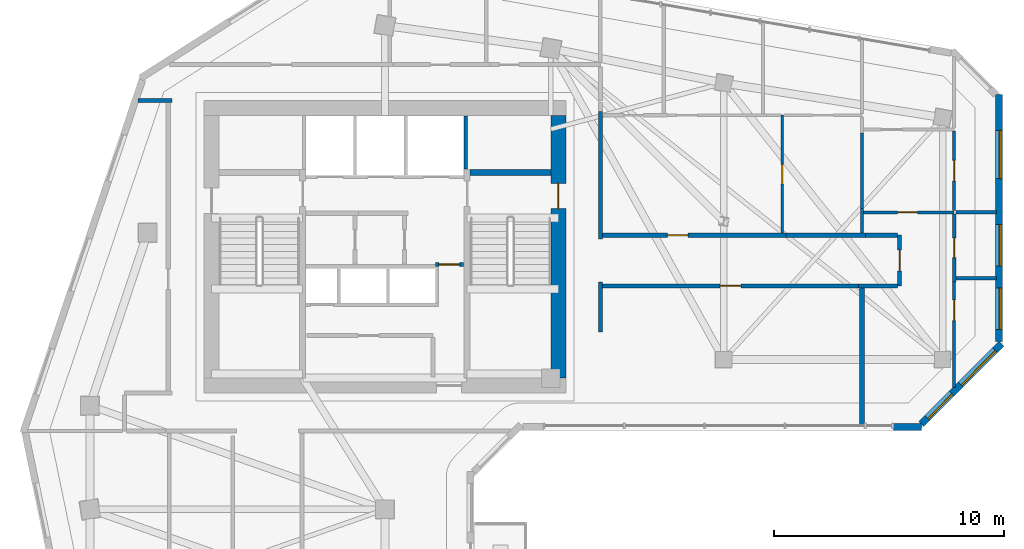
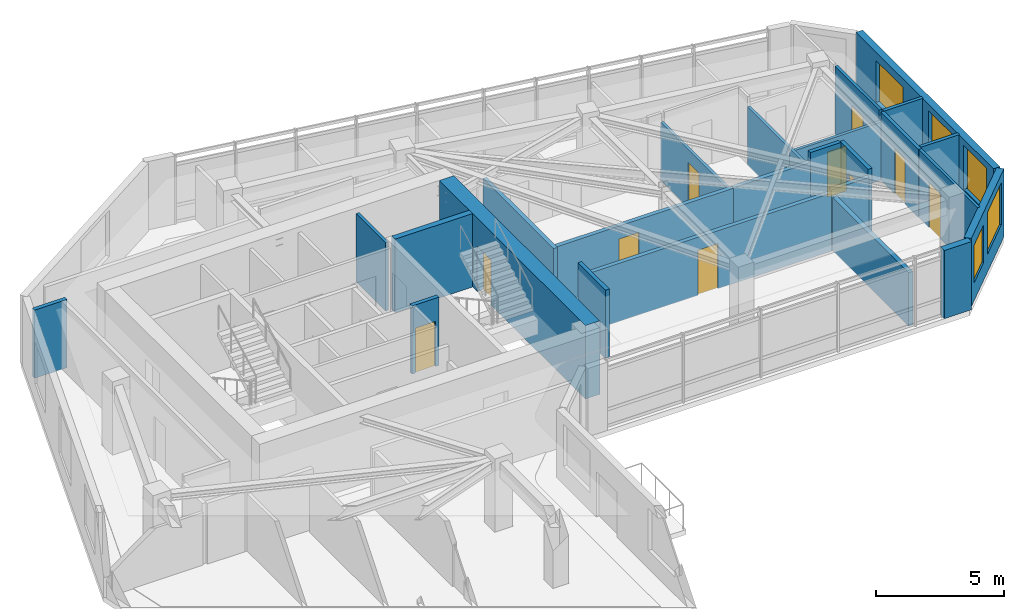
# One storey, part 6 of 10: 26 walls, 10 doors, 5 windows, 15 openings.
"""IFC4 building model written with IfcOpenShell, lengths in metres."""

from ifc_helpers import new_model, si_unit, direction, frame, frame_2d, origin, place, context, subcontext, project, spatial, rectangle, extrude, source, transform, mapped, material, layer, layer_set, type_object, element, fill, save


model = new_model("IFC4")

# Units and contexts
model_context = context("Model", 3, precision=1e-05, world=origin(), true_north=direction((0.0, 1.0)))
body_context = subcontext(model_context, "Body", "Model", "MODEL_VIEW")
ifc_project = project(units=[si_unit("LENGTHUNIT", "METRE"), si_unit("AREAUNIT", "SQUARE_METRE"), si_unit("VOLUMEUNIT", "CUBIC_METRE"), si_unit("PLANEANGLEUNIT", "RADIAN"), si_unit("MASSUNIT", "GRAM", prefix="KILO")], contexts=[model_context])

# Site, building, storey
site_placement = place(None, origin())
site = spatial("IfcSite", under=ifc_project, at=site_placement, CompositionType="ELEMENT")
building_placement = place(site_placement, origin())
building = spatial("IfcBuilding", under=site, at=building_placement, Name="Calvemar Wedge Station Tower", CompositionType="ELEMENT")
storey_placement = place(building_placement, frame((0.0, 0.0, 197.39990234375)))
storey = spatial("IfcBuildingStorey", under=building, at=storey_placement, Name="L49", CompositionType="ELEMENT", Elevation=197.39990234375)

# Wall
ifc_material_1 = material(Name="Concrete C50", Category="concrete")
ifc_layer_1 = layer(ifc_material_1, 0.260009765625)
ifc_layer_set_1 = layer_set([ifc_layer_1], Name="Concrete C50")
wall_type_1 = type_object("IfcWallType", Name="SW-CORE-260", PredefinedType="SHEAR", material=ifc_layer_set_1)
wall_1_placement = place(storey_placement, frame((27.5, 43.1298828125, 0.0), z_axis=(0.0, 0.0, 1.0), x_axis=(1.0, 0.0, 0.0)))
element("IfcWall", 1, at=wall_1_placement, inside=storey, type_object=wall_type_1, Name="Storey L49 Core Shear Wall STC2-N", PredefinedType="SHEAR", context=body_context, shape_type="SweptSolid", body=[
    extrude(rectangle(XDim=3.5, YDim=0.260009765625, at=frame_2d((1.75, 0.0))), origin(), (0.0, 0.0, 1.0), 3.5),
])

# Wall, opening, door
ifc_material_2 = material(Name="Concrete C60", Category="concrete")
ifc_layer_2 = layer(ifc_material_2, 0.64990234375)
ifc_layer_set_2 = layer_set([ifc_layer_2], Name="Concrete C60")
wall_type_2 = type_object("IfcWallType", Name="SW-CORE-650", PredefinedType="SHEAR", material=ifc_layer_set_2)
wall_2_placement = place(storey_placement, frame((31.324951171875, 34.199951171875, 0.0), z_axis=(0.0, 0.0, 1.0), x_axis=(0.0, 1.0, 0.0)))
wall_2 = element("IfcWall", 2, at=wall_2_placement, inside=storey, type_object=wall_type_2, Name="Storey L49 Core Shear Wall E", PredefinedType="SHEAR", context=body_context, shape_type="SweptSolid", body=[
    extrude(rectangle(XDim=11.400146484375, YDim=0.64990234375, at=frame_2d((5.7001953125, 0.0))), origin(), (0.0, 0.0, 1.0), 3.5),
])
shared_shape_1 = source(origin(), body_context, "Body", "SweptSolid", [
    extrude(rectangle(XDim=1.10009765625, YDim=2.14990234375, at=frame_2d((0.550048828125, 1.074951171875))), frame((0.0, 0.3349609375, 0.0), z_axis=(0.0, -1.0, 0.0), x_axis=(1.0, 0.0, 0.0)), (0.0, 0.0, 1.0), 0.669921875),
])
opening_1_placement = place(wall_2_placement, frame((7.35009765625, 0.0, 0.0)))
opening_1 = element("IfcOpeningElement", 3, at=opening_1_placement, cuts=wall_2, Name="Opening FD-90", PredefinedType="OPENING", context=body_context, shape_type="MappedRepresentation", body=[
    mapped(shared_shape_1, transform((0.0, 0.0, 0.0), scale=1.0)),
])
ifc_material_3 = material(Name="Galvanized fire-rated steel door leaf P-90", Category="steel")
door_type_1 = type_object("IfcDoorType", Name="DR-FD90-1100", OperationType="NOTDEFINED", PredefinedType="DOOR", material=ifc_material_3)
shared_shape_2 = source(origin(), body_context, "Body", "SweptSolid", [
    extrude(rectangle(XDim=1.10009765625, YDim=2.14990234375, at=frame_2d((0.550048828125, 1.074951171875))), frame((0.0, 0.02490234375, 0.0), z_axis=(0.0, -1.0, 0.0), x_axis=(1.0, 0.0, 0.0)), (0.0, 0.0, 1.0), 0.050048828125),
])
door_1_placement = place(opening_1_placement, origin())
door_1 = element("IfcDoor", 4, at=door_1_placement, inside=storey, type_object=door_type_1, Name="L49 East Corridor to Exit Stair ST-C2 Door", OperationType="SINGLE_SWING_RIGHT", OverallHeight=2.14990234375, OverallWidth=1.10009765625, PredefinedType="DOOR", context=body_context, shape_type="MappedRepresentation", body=[
    mapped(shared_shape_2, transform((0.0, 0.0, 0.0), scale=1.0)),
])
fill(opening_1, door_1)

ifc_material_4 = material(Name="Double-stud fire-rated corridor partition")
ifc_layer_3 = layer(ifc_material_4, 0.179931640625)
ifc_layer_set_3 = layer_set([ifc_layer_3], Name="Double-stud fire-rated corridor partition")
wall_type_3 = type_object("IfcWallType", Name="W-CORR-180", PredefinedType="PARTITIONING", material=ifc_layer_set_3)
wall_3_placement = place(storey_placement, frame((27.199951171875, 39.1298828125, 0.0), z_axis=(0.0, 0.0, 1.0), x_axis=(-1.0, 0.0, 0.0)))
wall_3 = element("IfcWall", 5, at=wall_3_placement, inside=storey, type_object=wall_type_3, Name="Storey L49 Interior Partition WL-L49-005", PredefinedType="PARTITIONING", context=body_context, shape_type="SweptSolid", body=[
    extrude(rectangle(XDim=1.2099609375, YDim=0.179931640625, at=frame_2d((0.60498046875, 0.0))), origin(), (0.0, 0.0, 1.0), 3.25),
])
shared_shape_3 = source(origin(), body_context, "Body", "SweptSolid", [
    extrude(rectangle(XDim=0.89990234375, YDim=2.14990234375, at=frame_2d((0.449951171875, 1.074951171875))), frame((0.0, 0.10009765625, 0.0), z_axis=(0.0, -1.0, 0.0), x_axis=(1.0, 0.0, 0.0)), (0.0, 0.0, 1.0), 0.199951171875),
])
opening_2_placement = place(wall_3_placement, frame((0.155029296875, 0.0, 0.0)))
opening_2 = element("IfcOpeningElement", 6, at=opening_2_placement, cuts=wall_3, Name="Opening FD-60", PredefinedType="OPENING", context=body_context, shape_type="MappedRepresentation", body=[
    mapped(shared_shape_3, transform((0.0, 0.0, 0.0), scale=1.0)),
])
ifc_material_5 = material(Name="Fire-rated acoustic timber-core entrance door EI 60", Category="wood")
door_type_2 = type_object("IfcDoorType", Name="DR-FD60-900", OperationType="NOTDEFINED", PredefinedType="DOOR", material=ifc_material_5)
shared_shape_4 = source(origin(), body_context, "Body", "SweptSolid", [
    extrude(rectangle(XDim=0.89990234375, YDim=2.14990234375, at=frame_2d((0.449951171875, 1.074951171875))), frame((0.0, 0.02490234375, 0.0), z_axis=(0.0, -1.0, 0.0), x_axis=(1.0, 0.0, 0.0)), (0.0, 0.0, 1.0), 0.050048828125),
])
door_2_placement = place(opening_2_placement, origin())
door_2 = element("IfcDoor", 7, at=door_2_placement, inside=storey, type_object=door_type_2, Name="L49 Core Service Lobby Door", OperationType="SINGLE_SWING_RIGHT", OverallHeight=2.14990234375, OverallWidth=0.89990234375, PredefinedType="DOOR", context=body_context, shape_type="MappedRepresentation", body=[
    mapped(shared_shape_4, transform((0.0, 0.0, 0.0), scale=1.0)),
])
fill(opening_2, door_2)

# Walls
wall_4_placement = place(storey_placement, frame((14.56005859375, 46.25, 0.0), z_axis=(0.0, 0.0, 1.0), x_axis=(-1.0, 0.0, 0.0)))
element("IfcWall", 8, at=wall_4_placement, inside=storey, type_object=wall_type_3, Name="Storey L49 Interior Partition WL-L49-014", PredefinedType="PARTITIONING", context=body_context, shape_type="SweptSolid", body=[
    extrude(rectangle(XDim=1.46875, YDim=0.179931640625, at=frame_2d((0.734375, 0.0))), origin(), (0.0, 0.0, 1.0), 3.25),
])
wall_5_placement = place(storey_placement, frame((33.14990234375, 45.76611328125, 0.0), z_axis=(0.0, 0.0, 1.0), x_axis=(0.0, -1.0, 0.0)))
element("IfcWall", 9, at=wall_5_placement, inside=storey, type_object=wall_type_3, Name="Storey L49 Interior Partition WL-L49-019", PredefinedType="PARTITIONING", context=body_context, shape_type="SweptSolid", body=[
    extrude(rectangle(XDim=5.526123046875, YDim=0.179931640625, at=frame_2d((2.76318359375, 0.0))), origin(), (0.0, 0.0, 1.0), 2.779052734375),
])
wall_6_placement = place(storey_placement, frame((33.14990234375, 38.360107421875, 0.0), z_axis=(0.0, 0.0, 1.0), x_axis=(0.0, -1.0, 0.0)))
element("IfcWall", 10, at=wall_6_placement, inside=storey, type_object=wall_type_3, Name="Storey L49 Interior Partition WL-L49-021", PredefinedType="PARTITIONING", context=body_context, shape_type="SweptSolid", body=[
    extrude(rectangle(XDim=2.16015625, YDim=0.179931640625, at=frame_2d((1.080078125, 0.0))), origin(), (0.0, 0.0, 1.0), 3.25),
])

# Wall, opening, door
wall_7_placement = place(storey_placement, frame((33.243896484375, 40.39990234375, 0.0), z_axis=(0.0, 0.0, 1.0), x_axis=(1.0, 0.0, 0.0)))
wall_7 = element("IfcWall", 11, at=wall_7_placement, inside=storey, type_object=wall_type_3, Name="Storey L49 Interior Partition WL-L49-026", PredefinedType="PARTITIONING", context=body_context, shape_type="SweptSolid", body=[
    extrude(rectangle(XDim=7.9580078125, YDim=0.179931640625, at=frame_2d((3.97900390625, 0.0))), origin(), (0.0, 0.0, 1.0), 2.76611328125),
])
opening_3_placement = place(wall_7_placement, frame((2.806884765625, 0.0, 0.0)))
opening_3 = element("IfcOpeningElement", 12, at=opening_3_placement, cuts=wall_7, Name="Opening FD-60", PredefinedType="OPENING", context=body_context, shape_type="MappedRepresentation", body=[
    mapped(shared_shape_3, transform((0.0, 0.0, 0.0), scale=1.0)),
])
door_3_placement = place(opening_3_placement, origin())
door_3 = element("IfcDoor", 13, at=door_3_placement, inside=storey, type_object=door_type_2, Name="L49 Living Dining Door", OperationType="SINGLE_SWING_RIGHT", OverallHeight=2.14990234375, OverallWidth=0.89990234375, PredefinedType="DOOR", context=body_context, shape_type="MappedRepresentation", body=[
    mapped(shared_shape_4, transform((0.0, 0.0, 0.0), scale=1.0)),
])
fill(opening_3, door_3)

# Wall
wall_8_placement = place(storey_placement, frame((41.2041015625, 40.39990234375, 0.0), z_axis=(0.0, 0.0, 1.0), x_axis=(1.0, 0.0, 0.0)))
element("IfcWall", 14, at=wall_8_placement, inside=storey, type_object=wall_type_3, Name="Storey L49 Interior Partition WL-L49-027", PredefinedType="PARTITIONING", context=body_context, shape_type="SweptSolid", body=[
    extrude(rectangle(XDim=3.455810546875, YDim=0.179931640625, at=frame_2d((1.72802734375, 0.0))), origin(), (0.0, 0.0, 1.0), 2.779052734375),
])

# Wall, opening, door
wall_9_placement = place(storey_placement, frame((46.135009765625, 40.39990234375, 0.0), z_axis=(0.0, 0.0, 1.0), x_axis=(0.0, -1.0, 0.0)))
wall_9 = element("IfcWall", 15, at=wall_9_placement, inside=storey, type_object=wall_type_3, Name="Storey L49 Interior Partition WL-L49-028", PredefinedType="PARTITIONING", context=body_context, shape_type="SweptSolid", body=[
    extrude(rectangle(XDim=2.199951171875, YDim=0.179931640625, at=frame_2d((1.10009765625, 0.0))), origin(), (0.0, 0.0, 1.0), 3.25),
])
opening_4_placement = place(wall_9_placement, frame((0.64990234375, 0.0, 0.0)))
opening_4 = element("IfcOpeningElement", 16, at=opening_4_placement, cuts=wall_9, Name="Opening FD-60", PredefinedType="OPENING", context=body_context, shape_type="MappedRepresentation", body=[
    mapped(shared_shape_3, transform((0.0, 0.0, 0.0), scale=1.0)),
])
door_4_placement = place(opening_4_placement, origin())
door_4 = element("IfcDoor", 17, at=door_4_placement, inside=storey, type_object=door_type_2, Name="L49 Living Dining Door", OperationType="SINGLE_SWING_RIGHT", OverallHeight=2.14990234375, OverallWidth=0.89990234375, PredefinedType="DOOR", context=body_context, shape_type="MappedRepresentation", body=[
    mapped(shared_shape_4, transform((0.0, 0.0, 0.0), scale=1.0)),
])
fill(opening_4, door_4)

# Walls
wall_10_placement = place(storey_placement, frame((44.662109375, 40.39990234375, 0.0), z_axis=(0.0, 0.0, 1.0), x_axis=(1.0, 0.0, 0.0)))
element("IfcWall", 18, at=wall_10_placement, inside=storey, type_object=wall_type_3, Name="Storey L49 Interior Partition WL-L49-029", PredefinedType="PARTITIONING", context=body_context, shape_type="SweptSolid", body=[
    extrude(rectangle(XDim=1.37890625, YDim=0.179931640625, at=frame_2d((0.689453125, 0.0))), origin(), (0.0, 0.0, 1.0), 3.25),
])
wall_11_placement = place(storey_placement, frame((46.041015625, 38.199951171875, 0.0), z_axis=(0.0, 0.0, 1.0), x_axis=(-1.0, 0.0, 0.0)))
element("IfcWall", 19, at=wall_11_placement, inside=storey, type_object=wall_type_3, Name="Storey L49 Interior Partition WL-L49-030", PredefinedType="PARTITIONING", context=body_context, shape_type="SweptSolid", body=[
    extrude(rectangle(XDim=1.700927734375, YDim=0.179931640625, at=frame_2d((0.8505859375, 0.0))), origin(), (0.0, 0.0, 1.0), 2.919189453125),
])

# Wall, opening, door
wall_12_placement = place(storey_placement, frame((44.337890625, 38.199951171875, 0.0), z_axis=(0.0, 0.0, 1.0), x_axis=(-1.0, 0.0, 0.0)))
wall_12 = element("IfcWall", 20, at=wall_12_placement, inside=storey, type_object=wall_type_3, Name="Storey L49 Interior Partition WL-L49-031", PredefinedType="PARTITIONING", context=body_context, shape_type="SweptSolid", body=[
    extrude(rectangle(XDim=11.093994140625, YDim=0.179931640625, at=frame_2d((5.546875, 0.0))), origin(), (0.0, 0.0, 1.0), 2.76611328125),
])
opening_5_placement = place(wall_12_placement, frame((5.096923828125, 0.0, 0.0)))
opening_5 = element("IfcOpeningElement", 21, at=opening_5_placement, cuts=wall_12, Name="Opening D-01", PredefinedType="OPENING", context=body_context, shape_type="MappedRepresentation", body=[
    mapped(shared_shape_3, transform((0.0, 0.0, 0.0), scale=1.0)),
])
ifc_material_6 = material(Name="Architectural hardwood acoustic swing door", Category="wood")
door_type_3 = type_object("IfcDoorType", Name="DR-INT-900", OperationType="NOTDEFINED", PredefinedType="DOOR", material=ifc_material_6)
shared_shape_5 = source(origin(), body_context, "Body", "SweptSolid", [
    extrude(rectangle(XDim=0.89990234375, YDim=2.14990234375, at=frame_2d((0.449951171875, 1.074951171875))), frame((0.0, 0.02490234375, 0.0), z_axis=(0.0, -1.0, 0.0), x_axis=(1.0, 0.0, 0.0)), (0.0, 0.0, 1.0), 0.050048828125),
])
door_5_placement = place(opening_5_placement, origin())
door_5 = element("IfcDoor", 22, at=door_5_placement, inside=storey, type_object=door_type_3, Name="L49 Meeting Room Door", OperationType="SINGLE_SWING_LEFT", OverallHeight=2.14990234375, OverallWidth=0.89990234375, PredefinedType="DOOR", context=body_context, shape_type="MappedRepresentation", body=[
    mapped(shared_shape_5, transform((0.0, 0.0, 0.0), scale=1.0)),
])
fill(opening_5, door_5)

# Walls
ifc_material_7 = material(Name="Twin-stud fire-rated inter-tenancy wall")
ifc_layer_4 = layer(ifc_material_7, 0.199951171875)
ifc_layer_set_4 = layer_set([ifc_layer_4], Name="Twin-stud fire-rated inter-tenancy wall")
wall_type_4 = type_object("IfcWallType", Name="W-DEMISE-200", PredefinedType="PARTITIONING", material=ifc_layer_set_4)
wall_13_placement = place(storey_placement, frame((44.5, 32.18896484375, 0.0), z_axis=(0.0, 0.0, 1.0), x_axis=(0.0, 1.0, 0.0)))
element("IfcWall", 23, at=wall_13_placement, inside=storey, type_object=wall_type_4, Name="Storey L49 Interior Partition WL-L49-048", PredefinedType="PARTITIONING", context=body_context, shape_type="SweptSolid", body=[
    extrude(rectangle(XDim=5.9169921875, YDim=0.199951171875, at=frame_2d((2.95849609375, 0.0))), origin(), (0.0, 0.0, 1.0), 2.5419921875),
])
ifc_material_8 = material(Name="Precast concrete C45", Category="concrete")
ifc_layer_5 = layer(ifc_material_8, 0.300048828125)
ifc_layer_set_5 = layer_set([ifc_layer_5], Name="Precast concrete C45")
wall_type_5 = type_object("IfcWallType", Name="W-EXT-GFRC-300", PredefinedType="SOLIDWALL", material=ifc_layer_set_5)
wall_14_placement = place(storey_placement, frame((45.8603515625, 32.073974609375, 0.0), z_axis=(0.0, 0.0, 1.0), x_axis=(1.0, 0.0, 0.0)))
element("IfcWall", 24, at=wall_14_placement, inside=storey, type_object=wall_type_5, Name="Storey L49 Bronze GFRC Corner Pier 6B", PredefinedType="SOLIDWALL", context=body_context, shape_type="SweptSolid", body=[
    extrude(rectangle(XDim=1.2275390625, YDim=0.300048828125, at=frame_2d((0.61376953125, 0.0))), origin(), (0.0, 0.0, 1.0), 3.25),
])

# Wall, openings, windows
wall_15_placement = place(storey_placement, frame((47.075927734375, 32.2119140625, 0.0), z_axis=(0.0, 0.0, 1.0), x_axis=(0.707106781187, 0.707106781187, 0.0)))
wall_15 = element("IfcWall", 25, at=wall_15_placement, inside=storey, type_object=wall_type_5, Name="Storey L49 Bronze GFRC Exterior Wall 7", PredefinedType="SOLIDWALL", context=body_context, shape_type="SweptSolid", body=[
    extrude(rectangle(XDim=4.921875, YDim=0.300048828125, at=frame_2d((2.4609375, 0.0))), origin(), (0.0, 0.0, 1.0), 3.25),
])
shared_shape_6 = source(origin(), body_context, "Body", "SweptSolid", [
    extrude(rectangle(XDim=1.5, YDim=1.800048828125, at=frame_2d((0.75, 0.89990234375))), frame((0.0, 0.16015625, 0.0), z_axis=(0.0, -1.0, 0.0), x_axis=(1.0, 0.0, 0.0)), (0.0, 0.0, 1.0), 0.320068359375),
])
opening_6_placement = place(wall_15_placement, frame((0.364990234375, 0.0, 0.85009765625)))
opening_6 = element("IfcOpeningElement", 26, at=opening_6_placement, cuts=wall_15, Name="Opening W3", PredefinedType="OPENING", context=body_context, shape_type="MappedRepresentation", body=[
    mapped(shared_shape_6, transform((0.0, 0.0, 0.0), scale=1.0)),
])
shared_shape_7 = source(origin(), body_context, "Body", "SweptSolid", [
    extrude(rectangle(XDim=2.10009765625, YDim=2.0, at=frame_2d((1.050048828125, 1.0))), frame((0.0, 0.16015625, 0.0), z_axis=(0.0, -1.0, 0.0), x_axis=(1.0, 0.0, 0.0)), (0.0, 0.0, 1.0), 0.320068359375),
])
opening_7_placement = place(wall_15_placement, frame((2.425048828125, 0.0, 0.85009765625)))
opening_7 = element("IfcOpeningElement", 27, at=opening_7_placement, cuts=wall_15, Name="Opening W4", PredefinedType="OPENING", context=body_context, shape_type="MappedRepresentation", body=[
    mapped(shared_shape_7, transform((0.0, 0.0, 0.0), scale=1.0)),
])
ifc_material_9 = material(Name="Low-E laminated insulated glass", Category="glass")
window_type_1 = type_object("IfcWindowType", Name="WIN-EXT-4", PartitioningType="SINGLE_PANEL", PredefinedType="WINDOW", material=ifc_material_9)
shared_shape_8 = source(origin(), body_context, "Body", "SweptSolid", [
    extrude(rectangle(XDim=2.10009765625, YDim=2.0, at=frame_2d((1.050048828125, 1.0))), frame((0.0, -0.014892578125, 0.0), z_axis=(0.0, -1.0, 0.0), x_axis=(1.0, 0.0, 0.0)), (0.0, 0.0, 1.0), 0.06005859375),
])
window_1_placement = place(opening_7_placement, origin())
window_1 = element("IfcWindow", 28, at=window_1_placement, inside=storey, type_object=window_type_1, Name="Storey L49 Recessed Window 7.2", OverallHeight=2.0, OverallWidth=2.10009765625, PartitioningType="SINGLE_PANEL", PredefinedType="WINDOW", context=body_context, shape_type="MappedRepresentation", body=[
    mapped(shared_shape_8, transform((0.0, 0.0, 0.0), scale=1.0)),
])
fill(opening_7, window_1)
window_type_2 = type_object("IfcWindowType", Name="WIN-EXT-3", PartitioningType="SINGLE_PANEL", PredefinedType="WINDOW", material=ifc_material_9)
shared_shape_9 = source(origin(), body_context, "Body", "SweptSolid", [
    extrude(rectangle(XDim=1.5, YDim=1.800048828125, at=frame_2d((0.75, 0.89990234375))), frame((0.0, -0.014892578125, 0.0), z_axis=(0.0, -1.0, 0.0), x_axis=(1.0, 0.0, 0.0)), (0.0, 0.0, 1.0), 0.06005859375),
])
window_2_placement = place(opening_6_placement, origin())
window_2 = element("IfcWindow", 29, at=window_2_placement, inside=storey, type_object=window_type_2, Name="Storey L49 Recessed Window 7.1", OverallHeight=1.800048828125, OverallWidth=1.5, PartitioningType="SINGLE_PANEL", PredefinedType="WINDOW", context=body_context, shape_type="MappedRepresentation", body=[
    mapped(shared_shape_9, transform((0.0, 0.0, 0.0), scale=1.0)),
])
fill(opening_6, window_2)

wall_16_placement = place(storey_placement, frame((50.449951171875, 35.78125, 0.0), z_axis=(0.0, 0.0, 1.0), x_axis=(0.0, 1.0, 0.0)))
wall_16 = element("IfcWall", 30, at=wall_16_placement, inside=storey, type_object=wall_type_5, Name="Storey L49 Bronze GFRC Exterior Wall 8", PredefinedType="SOLIDWALL", context=body_context, shape_type="SweptSolid", body=[
    extrude(rectangle(XDim=10.730712890625, YDim=0.300048828125, at=frame_2d((5.365234375, 0.0))), origin(), (0.0, 0.0, 1.0), 3.25),
])
shared_shape_10 = source(origin(), body_context, "Body", "SweptSolid", [
    extrude(rectangle(XDim=1.800048828125, YDim=2.10009765625, at=frame_2d((0.89990234375, 1.050048828125))), frame((0.0, 0.16015625, 0.0), z_axis=(0.0, -1.0, 0.0), x_axis=(1.0, 0.0, 0.0)), (0.0, 0.0, 1.0), 0.320068359375),
])
opening_8_placement = place(wall_16_placement, frame((0.529052734375, 0.0, 0.85009765625)))
opening_8 = element("IfcOpeningElement", 31, at=opening_8_placement, cuts=wall_16, Name="Opening W2", PredefinedType="OPENING", context=body_context, shape_type="MappedRepresentation", body=[
    mapped(shared_shape_10, transform((0.0, 0.0, 0.0), scale=1.0)),
])
opening_9_placement = place(wall_16_placement, frame((3.282958984375, 0.0, 0.85009765625)))
opening_9 = element("IfcOpeningElement", 32, at=opening_9_placement, cuts=wall_16, Name="Opening W2", PredefinedType="OPENING", context=body_context, shape_type="MappedRepresentation", body=[
    mapped(shared_shape_10, transform((0.0, 0.0, 0.0), scale=1.0)),
])
opening_10_placement = place(wall_16_placement, frame((7.069091796875, 0.0, 0.85009765625)))
opening_10 = element("IfcOpeningElement", 33, at=opening_10_placement, cuts=wall_16, Name="Opening W4", PredefinedType="OPENING", context=body_context, shape_type="MappedRepresentation", body=[
    mapped(shared_shape_7, transform((0.0, 0.0, 0.0), scale=1.0)),
])
window_3_placement = place(opening_10_placement, origin())
window_3 = element("IfcWindow", 34, at=window_3_placement, inside=storey, type_object=window_type_1, Name="Storey L49 Recessed Window 8.3", OverallHeight=2.0, OverallWidth=2.10009765625, PartitioningType="SINGLE_PANEL", PredefinedType="WINDOW", context=body_context, shape_type="MappedRepresentation", body=[
    mapped(shared_shape_8, transform((0.0, 0.0, 0.0), scale=1.0)),
])
fill(opening_10, window_3)
window_type_3 = type_object("IfcWindowType", Name="WIN-EXT-2", PartitioningType="SINGLE_PANEL", PredefinedType="WINDOW", material=ifc_material_9)
shared_shape_11 = source(origin(), body_context, "Body", "SweptSolid", [
    extrude(rectangle(XDim=1.800048828125, YDim=2.10009765625, at=frame_2d((0.89990234375, 1.050048828125))), frame((0.0, -0.014892578125, 0.0), z_axis=(0.0, -1.0, 0.0), x_axis=(1.0, 0.0, 0.0)), (0.0, 0.0, 1.0), 0.06005859375),
])
window_4_placement = place(opening_8_placement, origin())
window_4 = element("IfcWindow", 35, at=window_4_placement, inside=storey, type_object=window_type_3, Name="Storey L49 Recessed Window 8.1", OverallHeight=2.10009765625, OverallWidth=1.800048828125, PartitioningType="SINGLE_PANEL", PredefinedType="WINDOW", context=body_context, shape_type="MappedRepresentation", body=[
    mapped(shared_shape_11, transform((0.0, 0.0, 0.0), scale=1.0)),
])
fill(opening_8, window_4)
window_5_placement = place(opening_9_placement, origin())
window_5 = element("IfcWindow", 36, at=window_5_placement, inside=storey, type_object=window_type_3, Name="Storey L49 Recessed Window 8.2", OverallHeight=2.10009765625, OverallWidth=1.800048828125, PartitioningType="SINGLE_PANEL", PredefinedType="WINDOW", context=body_context, shape_type="MappedRepresentation", body=[
    mapped(shared_shape_11, transform((0.0, 0.0, 0.0), scale=1.0)),
])
fill(opening_9, window_5)

# Wall
ifc_material_10 = material(Name="Reinforced concrete blockwork lift shaft wall", Category="masonry")
ifc_layer_6 = layer(ifc_material_10, 0.139892578125)
ifc_layer_set_6 = layer_set([ifc_layer_6], Name="Reinforced concrete blockwork lift shaft wall")
wall_type_6 = type_object("IfcWallType", Name="W-LIFT-160", PredefinedType="SOLIDWALL", material=ifc_layer_set_6)
wall_17_placement = place(storey_placement, frame((27.31005859375, 43.280029296875, 0.0), z_axis=(0.0, 0.0, 1.0), x_axis=(0.0, 1.0, 0.0)))
element("IfcWall", 37, at=wall_17_placement, inside=storey, type_object=wall_type_6, Name="Storey L49 Firefighting Lift Shaft Enclosure Wall E", PredefinedType="SOLIDWALL", context=body_context, shape_type="SweptSolid", body=[
    extrude(rectangle(XDim=2.300048828125, YDim=0.139892578125, at=frame_2d((1.14990234375, 0.0))), origin(), (0.0, 0.0, 1.0), 3.25),
])

# Wall, opening, door
ifc_material_11 = material(Name="Insulated acoustic gypsum stud partition")
ifc_layer_7 = layer(ifc_material_11, 0.125)
ifc_layer_set_7 = layer_set([ifc_layer_7], Name="Insulated acoustic gypsum stud partition")
wall_type_7 = type_object("IfcWallType", Name="W-PART-125", PredefinedType="PARTITIONING", material=ifc_layer_set_7)
wall_18_placement = place(storey_placement, frame((41.0419921875, 45.60595703125, 0.0), z_axis=(0.0, 0.0, 1.0), x_axis=(0.0, -1.0, 0.0)))
wall_18 = element("IfcWall", 38, at=wall_18_placement, inside=storey, type_object=wall_type_7, Name="Storey L49 Interior Partition WL-L49-032", PredefinedType="PARTITIONING", context=body_context, shape_type="SweptSolid", body=[
    extrude(rectangle(XDim=5.112060546875, YDim=0.125, at=frame_2d((2.55615234375, 0.0))), origin(), (0.0, 0.0, 1.0), 2.779052734375),
])
shared_shape_12 = source(origin(), body_context, "Body", "SweptSolid", [
    extrude(rectangle(XDim=0.85009765625, YDim=2.14990234375, at=frame_2d((0.425048828125, 1.074951171875))), frame((0.0, 0.072509765625, 0.0), z_axis=(0.0, -1.0, 0.0), x_axis=(1.0, 0.0, 0.0)), (0.0, 0.0, 1.0), 0.14501953125),
])
opening_11_placement = place(wall_18_placement, frame((2.131103515625, 0.0, 0.0)))
opening_11 = element("IfcOpeningElement", 39, at=opening_11_placement, cuts=wall_18, Name="Opening D-02", PredefinedType="OPENING", context=body_context, shape_type="MappedRepresentation", body=[
    mapped(shared_shape_12, transform((0.0, 0.0, 0.0), scale=1.0)),
])
ifc_material_12 = material(Name="Moisture-sealed bathroom hardwood swing door", Category="wood")
door_type_4 = type_object("IfcDoorType", Name="DR-WET-850", OperationType="NOTDEFINED", PredefinedType="DOOR", material=ifc_material_12)
shared_shape_13 = source(origin(), body_context, "Body", "SweptSolid", [
    extrude(rectangle(XDim=0.85009765625, YDim=2.14990234375, at=frame_2d((0.425048828125, 1.074951171875))), frame((0.0, 0.02490234375, 0.0), z_axis=(0.0, -1.0, 0.0), x_axis=(1.0, 0.0, 0.0)), (0.0, 0.0, 1.0), 0.050048828125),
])
door_6_placement = place(opening_11_placement, origin())
door_6 = element("IfcDoor", 40, at=door_6_placement, inside=storey, type_object=door_type_4, Name="L49 Kitchen Door", OperationType="SINGLE_SWING_LEFT", OverallHeight=2.14990234375, OverallWidth=0.85009765625, PredefinedType="DOOR", context=body_context, shape_type="MappedRepresentation", body=[
    mapped(shared_shape_13, transform((0.0, 0.0, 0.0), scale=1.0)),
])
fill(opening_11, door_6)

# Walls
wall_19_placement = place(storey_placement, frame((44.5, 41.549072265625, 0.0), z_axis=(0.0, 0.0, 1.0), x_axis=(0.0, -1.0, 0.0)))
element("IfcWall", 41, at=wall_19_placement, inside=storey, type_object=wall_type_7, Name="Storey L49 Interior Partition WL-L49-038", PredefinedType="PARTITIONING", context=body_context, shape_type="SweptSolid", body=[
    extrude(rectangle(XDim=1.05517578125, YDim=0.125, at=frame_2d((0.527587890625, 0.0))), origin(), (0.0, 0.0, 1.0), 2.779052734375),
])
wall_20_placement = place(storey_placement, frame((44.5, 44.826904296875, 0.0), z_axis=(0.0, 0.0, 1.0), x_axis=(0.0, -1.0, 0.0)))
element("IfcWall", 42, at=wall_20_placement, inside=storey, type_object=wall_type_7, Name="Storey L49 Interior Partition WL-L49-039", PredefinedType="PARTITIONING", context=body_context, shape_type="SweptSolid", body=[
    extrude(rectangle(XDim=3.27587890625, YDim=0.125, at=frame_2d((1.637939453125, 0.0))), origin(), (0.0, 0.0, 1.0), 2.779052734375),
])

# Wall, opening, door
wall_21_placement = place(storey_placement, frame((44.56640625, 41.388916015625, 0.0), z_axis=(0.0, 0.0, 1.0), x_axis=(1.0, 0.0, 0.0)))
wall_21 = element("IfcWall", 43, at=wall_21_placement, inside=storey, type_object=wall_type_7, Name="Storey L49 Interior Partition WL-L49-045", PredefinedType="PARTITIONING", context=body_context, shape_type="SweptSolid", body=[
    extrude(rectangle(XDim=3.93359375, YDim=0.125, at=frame_2d((1.966796875, 0.0))), origin(), (0.0, 0.0, 1.0), 2.76611328125),
])
opening_12_placement = place(wall_21_placement, frame((1.481689453125, 0.0, 0.0)))
opening_12 = element("IfcOpeningElement", 44, at=opening_12_placement, cuts=wall_21, Name="Opening D-02", PredefinedType="OPENING", context=body_context, shape_type="MappedRepresentation", body=[
    mapped(shared_shape_12, transform((0.0, 0.0, 0.0), scale=1.0)),
])
door_7_placement = place(opening_12_placement, origin())
door_7 = element("IfcDoor", 45, at=door_7_placement, inside=storey, type_object=door_type_4, Name="L49 Kitchen Door", OperationType="SINGLE_SWING_LEFT", OverallHeight=2.14990234375, OverallWidth=0.85009765625, PredefinedType="DOOR", context=body_context, shape_type="MappedRepresentation", body=[
    mapped(shared_shape_13, transform((0.0, 0.0, 0.0), scale=1.0)),
])
fill(opening_12, door_7)

wall_22_placement = place(storey_placement, frame((48.5, 38.376953125, 0.0), z_axis=(0.0, 0.0, 1.0), x_axis=(0.0, -1.0, 0.0)))
wall_22 = element("IfcWall", 46, at=wall_22_placement, inside=storey, type_object=wall_type_7, Name="Storey L49 Interior Partition WL-L49-047", PredefinedType="PARTITIONING", context=body_context, shape_type="SweptSolid", body=[
    extrude(rectangle(XDim=4.578125, YDim=0.125, at=frame_2d((2.2890625, 0.0))), origin(), (0.0, 0.0, 1.0), 3.25),
])
shared_shape_14 = source(origin(), body_context, "Body", "SweptSolid", [
    extrude(rectangle(XDim=0.89990234375, YDim=2.14990234375, at=frame_2d((0.449951171875, 1.074951171875))), frame((0.0, 0.072509765625, 0.0), z_axis=(0.0, -1.0, 0.0), x_axis=(1.0, 0.0, 0.0)), (0.0, 0.0, 1.0), 0.14501953125),
])
opening_13_placement = place(wall_22_placement, frame((0.77880859375, 0.0, 0.0)))
opening_13 = element("IfcOpeningElement", 47, at=opening_13_placement, cuts=wall_22, Name="Opening D-01", PredefinedType="OPENING", context=body_context, shape_type="MappedRepresentation", body=[
    mapped(shared_shape_14, transform((0.0, 0.0, 0.0), scale=1.0)),
])
door_8_placement = place(opening_13_placement, origin())
door_8 = element("IfcDoor", 48, at=door_8_placement, inside=storey, type_object=door_type_3, Name="L49 Master Bedroom Door", OperationType="SINGLE_SWING_RIGHT", OverallHeight=2.14990234375, OverallWidth=0.89990234375, PredefinedType="DOOR", context=body_context, shape_type="MappedRepresentation", body=[
    mapped(shared_shape_5, transform((0.0, 0.0, 0.0), scale=1.0)),
])
fill(opening_13, door_8)

wall_23_placement = place(storey_placement, frame((48.5, 44.922607421875, 0.0), z_axis=(0.0, 0.0, 1.0), x_axis=(0.0, -1.0, 0.0)))
wall_23 = element("IfcWall", 49, at=wall_23_placement, inside=storey, type_object=wall_type_7, Name="Storey L49 Interior Partition WL-L49-049", PredefinedType="PARTITIONING", context=body_context, shape_type="SweptSolid", body=[
    extrude(rectangle(XDim=3.45458984375, YDim=0.125, at=frame_2d((1.727294921875, 0.0))), origin(), (0.0, 0.0, 1.0), 3.25),
])
opening_14_placement = place(wall_23_placement, frame((1.277099609375, 0.0, 0.0)))
opening_14 = element("IfcOpeningElement", 50, at=opening_14_placement, cuts=wall_23, Name="Opening D-01", PredefinedType="OPENING", context=body_context, shape_type="MappedRepresentation", body=[
    mapped(shared_shape_14, transform((0.0, 0.0, 0.0), scale=1.0)),
])
door_9_placement = place(opening_14_placement, origin())
door_9 = element("IfcDoor", 51, at=door_9_placement, inside=storey, type_object=door_type_3, Name="L49 Bedroom Door", OperationType="SINGLE_SWING_LEFT", OverallHeight=2.14990234375, OverallWidth=0.89990234375, PredefinedType="DOOR", context=body_context, shape_type="MappedRepresentation", body=[
    mapped(shared_shape_5, transform((0.0, 0.0, 0.0), scale=1.0)),
])
fill(opening_14, door_9)

ifc_material_13 = material(Name="Moisture-resistant acoustic bathroom partition")
ifc_layer_8 = layer(ifc_material_13, 0.14990234375)
ifc_layer_set_8 = layer_set([ifc_layer_8], Name="Moisture-resistant acoustic bathroom partition")
wall_type_8 = type_object("IfcWallType", Name="W-WET-150", PredefinedType="PARTITIONING", material=ifc_layer_set_8)
wall_24_placement = place(storey_placement, frame((48.5, 41.322509765625, 0.0), z_axis=(0.0, 0.0, 1.0), x_axis=(0.0, -1.0, 0.0)))
wall_24 = element("IfcWall", 52, at=wall_24_placement, inside=storey, type_object=wall_type_8, Name="Storey L49 Interior Partition WL-L49-046", PredefinedType="PARTITIONING", context=body_context, shape_type="SweptSolid", body=[
    extrude(rectangle(XDim=2.943603515625, YDim=0.14990234375, at=frame_2d((1.4716796875, 0.0))), origin(), (0.0, 0.0, 1.0), 3.25),
])
shared_shape_15 = source(origin(), body_context, "Body", "SweptSolid", [
    extrude(rectangle(XDim=0.85009765625, YDim=2.14990234375, at=frame_2d((0.425048828125, 1.074951171875))), frame((0.0, 0.0849609375, 0.0), z_axis=(0.0, -1.0, 0.0), x_axis=(1.0, 0.0, 0.0)), (0.0, 0.0, 1.0), 0.169921875),
])
opening_15_placement = place(wall_24_placement, frame((1.046875, 0.0, 0.0)))
opening_15 = element("IfcOpeningElement", 53, at=opening_15_placement, cuts=wall_24, Name="Opening D-02", PredefinedType="OPENING", context=body_context, shape_type="MappedRepresentation", body=[
    mapped(shared_shape_15, transform((0.0, 0.0, 0.0), scale=1.0)),
])
door_10_placement = place(opening_15_placement, origin())
door_10 = element("IfcDoor", 54, at=door_10_placement, inside=storey, type_object=door_type_4, Name="L49 Bathroom Door", OperationType="SINGLE_SWING_RIGHT", OverallHeight=2.14990234375, OverallWidth=0.85009765625, PredefinedType="DOOR", context=body_context, shape_type="MappedRepresentation", body=[
    mapped(shared_shape_13, transform((0.0, 0.0, 0.0), scale=1.0)),
])
fill(opening_15, door_10)

# Walls
for number, where, z_axis, x_axis, name in (
    (55, (48.5791015625, 41.388916015625, 0.0), (0.0, 0.0, 1.0), (1.0, 0.0, 0.0), "Storey L49 Interior Partition WL-L49-050"),
    (56, (50.3349609375, 38.5390625, 0.0), (0.0, 0.0, 1.0), (-1.0, 0.0, 0.0), "Storey L49 Interior Partition WL-L49-051"),
):
    element("IfcWall", number, at=place(storey_placement, frame(where, z_axis=z_axis, x_axis=x_axis)), inside=storey, type_object=wall_type_8, Name=name, PredefinedType="PARTITIONING", context=body_context, shape_type="SweptSolid", body=[
        extrude(rectangle(XDim=1.755859375, YDim=0.14990234375, at=frame_2d((0.8779296875, 0.0))), origin(), (0.0, 0.0, 1.0), 3.25),
    ])

save(model, "model.ifc")
